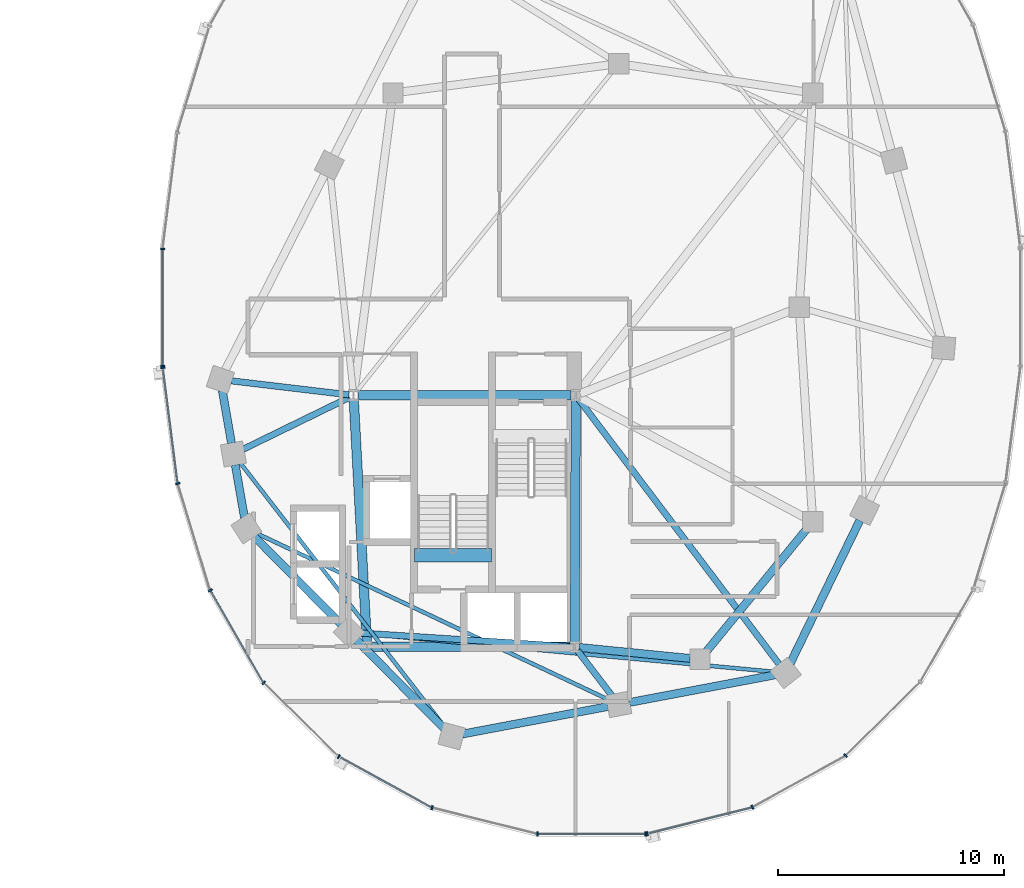
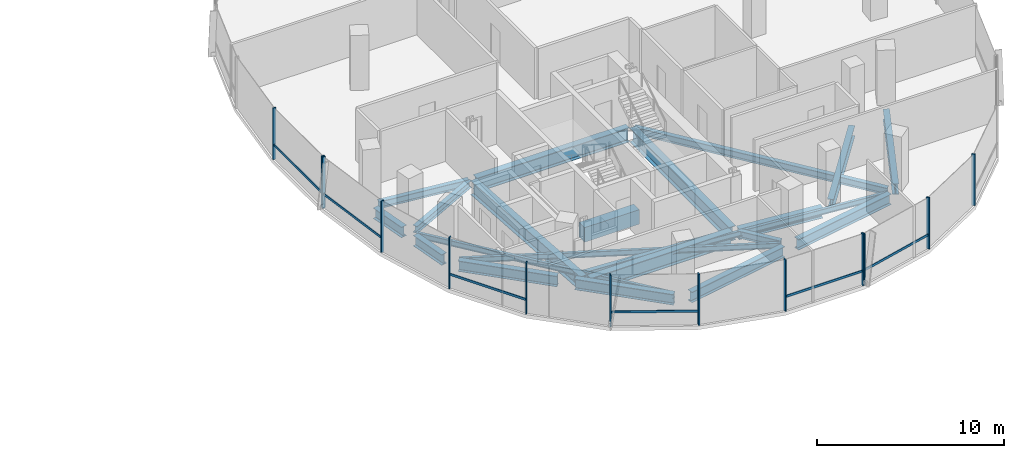
# One storey, part 6 of 22: 22 beams, 19 members, 3 elements without a shape of their own.
"""IFC4 building model written with IfcOpenShell, lengths in metres."""

from ifc_helpers import new_model, si_unit, direction, frame, origin, origin_2d, place, context, subcontext, project, spatial, rectangle, i_section, extrude, material, material_profile, profile_set, type_object, element, aggregate, save


model = new_model("IFC4")

# Units and contexts
model_context = context("Model", 3, precision=1e-05, world=origin(), true_north=direction((0.0, 1.0)))
body_context = subcontext(model_context, "Body", "Model", "MODEL_VIEW")
ifc_project = project(units=[si_unit("LENGTHUNIT", "METRE"), si_unit("AREAUNIT", "SQUARE_METRE"), si_unit("VOLUMEUNIT", "CUBIC_METRE"), si_unit("PLANEANGLEUNIT", "RADIAN"), si_unit("MASSUNIT", "GRAM", prefix="KILO"), si_unit("THERMODYNAMICTEMPERATUREUNIT", "KELVIN"), si_unit("POWERUNIT", "WATT")], contexts=[model_context])

# Site, building, storey
site_placement = place(None, origin())
site = spatial("IfcSite", under=ifc_project, at=site_placement, CompositionType="ELEMENT")
building_placement = place(site_placement, origin())
building = spatial("IfcBuilding", under=site, at=building_placement, Name="Cundina Bronze Exchange", CompositionType="ELEMENT")
storey_placement = place(building_placement, frame((0.0, 0.0, 158.39990234375)))
storey = spatial("IfcBuildingStorey", under=building, at=storey_placement, Name="L41", CompositionType="ELEMENT", Elevation=158.39990234375)

# Beams
ifc_material_1 = material(Name="Concrete C60/75", Category="concrete")
ifc_material_profile_1 = material_profile(ifc_material_1, rectangle(XDim=0.60009765625, YDim=0.949951171875, at=origin_2d()), Name="RC600X950", Category="concrete")
ifc_profile_set_1 = profile_set([ifc_material_profile_1], Name="Concrete C60/75")
beam_type_1 = type_object("IfcBeamType", Name="BM-COUP-RC950", PredefinedType="LINTEL", material=ifc_profile_set_1)
beam_1_placement = place(storey_placement, frame((24.159912109375, -10.97998046875, -0.474853515625), z_axis=(1.0, 0.0, 0.0), x_axis=(0.0, 1.0, 0.0)))
element("IfcBeam", 1, at=beam_1_placement, inside=storey, type_object=beam_type_1, Name="L41 Stair E2 Landing Header Beam", PredefinedType="LINTEL", context=body_context, shape_type="SweptSolid", body=[
    extrude(rectangle(XDim=0.60009765625, YDim=0.949951171875, at=origin_2d()), origin(), (0.0, 0.0, 1.0), 3.400146484375),
])
ifc_material_2 = material(Name="Steel ASTM A992 Grade 50", Category="steel")
ifc_material_profile_2 = material_profile(ifc_material_2, i_section(OverallWidth=0.280029296875, OverallDepth=0.462890625, WebThickness=0.0107421875, FlangeThickness=0.017333984375, FilletRadius=0.011962890625, at=origin_2d()), Name="W18X76", Category="steel")
ifc_profile_set_2 = profile_set([ifc_material_profile_2], Name="Steel ASTM A992 Grade 50")
beam_type_2 = type_object("IfcBeamType", Name="BM-FLR-W18A", PredefinedType="BEAM", material=ifc_profile_set_2)
beam_2_placement = place(storey_placement, frame((21.247314453125, -3.8759765625, -0.471435546875), z_axis=(-0.993036158382, 0.11780996624, 0.0), x_axis=(-0.11780996624, -0.993036158382, 0.0)))
element("IfcBeam", 2, at=beam_2_placement, inside=storey, type_object=beam_type_2, Name="L41 Leg E Chordal Floor Beam 00", PredefinedType="BEAM", context=body_context, shape_type="SweptSolid", body=[
    extrude(i_section(OverallWidth=0.280029296875, OverallDepth=0.462890625, WebThickness=0.0107421875, FlangeThickness=0.017333984375, FilletRadius=0.011962890625, at=origin_2d()), origin(), (0.0, 0.0, 1.0), 5.249267578125),
])
beam_3_placement = place(storey_placement, frame((21.2666015625, -3.989501953125, -0.471435546875), z_axis=(-0.898604300669, -0.438759969481, 0.0), x_axis=(0.438759969481, -0.898604300669, 0.0)))
element("IfcBeam", 3, at=beam_3_placement, inside=storey, type_object=beam_type_2, Name="L41 Leg E Chordal Floor Beam 01", PredefinedType="BEAM", context=body_context, shape_type="SweptSolid", body=[
    extrude(i_section(OverallWidth=0.280029296875, OverallDepth=0.462890625, WebThickness=0.0107421875, FlangeThickness=0.017333984375, FilletRadius=0.011962890625, at=origin_2d()), origin(), (0.0, 0.0, 1.0), 5.23388671875),
])
beam_4_placement = place(storey_placement, frame((31.04638671875, -15.036865234375, -0.471435546875), z_axis=(-0.99789334888, 0.064875760192, 0.0), x_axis=(-0.064875760192, -0.99789334888, 0.0)))
element("IfcBeam", 4, at=beam_4_placement, inside=storey, type_object=beam_type_2, Name="L41 Leg E Chordal Floor Beam 03", PredefinedType="BEAM", context=body_context, shape_type="SweptSolid", body=[
    extrude(i_section(OverallWidth=0.280029296875, OverallDepth=0.462890625, WebThickness=0.0107421875, FlangeThickness=0.017333984375, FilletRadius=0.011962890625, at=origin_2d()), origin(), (0.0, 0.0, 1.0), 9.328857421875),
])
beam_5_placement = place(storey_placement, frame((31.373779296875, -15.2119140625, -0.471435546875), z_axis=(0.607450107571, -0.794357832977, 0.0), x_axis=(0.794357832977, 0.607450107571, 0.0)))
element("IfcBeam", 5, at=beam_5_placement, inside=storey, type_object=beam_type_2, Name="L41 Leg E Chordal Floor Beam 05", PredefinedType="BEAM", context=body_context, shape_type="SweptSolid", body=[
    extrude(i_section(OverallWidth=0.280029296875, OverallDepth=0.462890625, WebThickness=0.0107421875, FlangeThickness=0.017333984375, FilletRadius=0.011962890625, at=origin_2d()), origin(), (0.0, 0.0, 1.0), 2.518310546875),
])
beam_6_placement = place(storey_placement, frame((31.423095703125, -4.062744140625, -0.471435546875), z_axis=(0.603103901721, -0.797662637792, 0.0), x_axis=(0.797662637792, 0.603103901721, 0.0)))
element("IfcBeam", 6, at=beam_6_placement, inside=storey, type_object=beam_type_2, Name="L41 Leg E Chordal Floor Beam 06", PredefinedType="BEAM", context=body_context, shape_type="SweptSolid", body=[
    extrude(i_section(OverallWidth=0.280029296875, OverallDepth=0.462890625, WebThickness=0.0107421875, FlangeThickness=0.017333984375, FilletRadius=0.011962890625, at=origin_2d()), origin(), (0.0, 0.0, 1.0), 14.72802734375),
])
ifc_material_profile_3 = material_profile(ifc_material_2, i_section(OverallWidth=0.172119140625, OverallDepth=0.35791015625, WebThickness=0.0078125, FlangeThickness=0.01318359375, FilletRadius=0.010009765625, at=origin_2d()), Name="W14X38", Category="steel")
ifc_profile_set_3 = profile_set([ifc_material_profile_3], Name="Steel ASTM A992 Grade 50")
beam_type_3 = type_object("IfcBeamType", Name="BM-JST-W14", PredefinedType="JOIST", material=ifc_profile_set_3)
beam_7_placement = place(storey_placement, frame((16.423583984375, -6.885986328125, -0.4189453125), z_axis=(0.61208354334, -0.790793105668, 0.0), x_axis=(0.790793105668, 0.61208354334, 0.0)))
element("IfcBeam", 7, at=beam_7_placement, inside=storey, type_object=beam_type_3, Name="L41 Leg E Lobe Floor Joist 01-04", PredefinedType="JOIST", context=body_context, shape_type="SweptSolid", body=[
    extrude(i_section(OverallWidth=0.172119140625, OverallDepth=0.35791015625, WebThickness=0.0078125, FlangeThickness=0.01318359375, FilletRadius=0.010009765625, at=origin_2d()), origin(), (0.0, 0.0, 1.0), 14.830810546875),
])
beam_8_placement = place(storey_placement, frame((17.14111328125, -10.008544921875, -0.4189453125), z_axis=(0.904074252188, -0.427375416385, 0.0), x_axis=(0.427375416385, 0.904074252188, 0.0)))
element("IfcBeam", 8, at=beam_8_placement, inside=storey, type_object=beam_type_3, Name="L41 Leg E Lobe Floor Joist 02-05", PredefinedType="JOIST", context=body_context, shape_type="SweptSolid", body=[
    extrude(i_section(OverallWidth=0.172119140625, OverallDepth=0.35791015625, WebThickness=0.0078125, FlangeThickness=0.01318359375, FilletRadius=0.010009765625, at=origin_2d()), origin(), (0.0, 0.0, 1.0), 17.274658203125),
])
beam_9_placement = place(storey_placement, frame((21.73583984375, -14.4453125, -0.4189453125), z_axis=(0.995701840093, -0.092616659595, 0.0), x_axis=(0.092616659595, 0.995701840093, 0.0)))
element("IfcBeam", 9, at=beam_9_placement, inside=storey, type_object=beam_type_3, Name="L41 Leg E Lobe Floor Joist 03-06", PredefinedType="JOIST", context=body_context, shape_type="SweptSolid", body=[
    extrude(i_section(OverallWidth=0.172119140625, OverallDepth=0.35791015625, WebThickness=0.0078125, FlangeThickness=0.01318359375, FilletRadius=0.010009765625, at=origin_2d()), origin(), (0.0, 0.0, 1.0), 18.45751953125),
])
ifc_material_profile_4 = material_profile(ifc_material_2, i_section(OverallWidth=0.35498046875, OverallDepth=0.695068359375, WebThickness=0.015380859375, FlangeThickness=0.02490234375, FilletRadius=0.01806640625, at=origin_2d()), Name="W27X146", Category="steel")
ifc_profile_set_4 = profile_set([ifc_material_profile_4], Name="Steel ASTM A992 Grade 50")
beam_type_4 = type_object("IfcBeamType", Name="BM-RING-W27", PredefinedType="USERDEFINED", material=ifc_profile_set_4)
beam_10_placement = place(storey_placement, frame((31.452880859375, -15.070068359375, -0.58740234375), z_axis=(0.995123020608, -0.098641643622, 0.0), x_axis=(0.098641643622, 0.995123020608, 0.0)))
element("IfcBeam", 10, at=beam_10_placement, inside=storey, type_object=beam_type_4, Name="L41 E Inner Structural Ring Girder 01", ObjectType="GIRDER", PredefinedType="USERDEFINED", context=body_context, shape_type="SweptSolid", body=[
    extrude(i_section(OverallWidth=0.35498046875, OverallDepth=0.695068359375, WebThickness=0.015380859375, FlangeThickness=0.02490234375, FilletRadius=0.01806640625, at=origin_2d()), origin(), (0.0, 0.0, 1.0), 4.935302734375),
])
beam_11_placement = place(storey_placement, frame((37.07763671875, -15.26123046875, -0.58740234375), z_axis=(0.633912590175, 0.77340469873, 0.0), x_axis=(-0.77340469873, 0.633912590175, 0.0)))
element("IfcBeam", 11, at=beam_11_placement, inside=storey, type_object=beam_type_4, Name="L41 E Inner Structural Ring Girder 02", ObjectType="GIRDER", PredefinedType="USERDEFINED", context=body_context, shape_type="SweptSolid", body=[
    extrude(i_section(OverallWidth=0.35498046875, OverallDepth=0.695068359375, WebThickness=0.015380859375, FlangeThickness=0.02490234375, FilletRadius=0.01806640625, at=origin_2d()), origin(), (0.0, 0.0, 1.0), 7.01123046875),
])
for number, where, z_axis, x_axis, name in (
    (12, (15.6337890625, -3.680908203125, -0.58740234375), (0.171666718895, -0.985155083032, 0.0), (0.985155083032, 0.171666718895, 0.0), "L41 E Perimeter Ring Girder 00"),
    (13, (16.208740234375, -6.980712890625, -0.58740234375), (0.171666718895, -0.985155083032, 0.0), (0.985155083032, 0.171666718895, 0.0), "L41 E Perimeter Ring Girder 01"),
):
    element("IfcBeam", number, at=place(storey_placement, frame(where, z_axis=z_axis, x_axis=x_axis)), inside=storey, type_object=beam_type_4, Name=name, ObjectType="GIRDER", PredefinedType="USERDEFINED", context=body_context, shape_type="SweptSolid", body=[
        extrude(i_section(OverallWidth=0.35498046875, OverallDepth=0.695068359375, WebThickness=0.015380859375, FlangeThickness=0.02490234375, FilletRadius=0.01806640625, at=origin_2d()), origin(), (0.0, 0.0, 1.0), 2.37353515625),
    ])
beam_12_placement = place(storey_placement, frame((17.043212890625, -10.14697265625, -0.58740234375), z_axis=(0.703230112979, -0.710962311378, 0.0), x_axis=(0.710962311378, 0.703230112979, 0.0)))
element("IfcBeam", 14, at=beam_12_placement, inside=storey, type_object=beam_type_4, Name="L41 E Perimeter Ring Girder 02", ObjectType="GIRDER", PredefinedType="USERDEFINED", context=body_context, shape_type="SweptSolid", body=[
    extrude(i_section(OverallWidth=0.35498046875, OverallDepth=0.695068359375, WebThickness=0.015380859375, FlangeThickness=0.02490234375, FilletRadius=0.01806640625, at=origin_2d()), origin(), (0.0, 0.0, 1.0), 5.493896484375),
])
beam_13_placement = place(storey_placement, frame((21.59326171875, -14.746826171875, -0.58740234375), z_axis=(0.703207895705, -0.710984286337, 0.0), x_axis=(0.710984286337, 0.703207895705, 0.0)))
element("IfcBeam", 15, at=beam_13_placement, inside=storey, type_object=beam_type_4, Name="L41 E Perimeter Ring Girder 03", ObjectType="GIRDER", PredefinedType="USERDEFINED", context=body_context, shape_type="SweptSolid", body=[
    extrude(i_section(OverallWidth=0.35498046875, OverallDepth=0.695068359375, WebThickness=0.015380859375, FlangeThickness=0.02490234375, FilletRadius=0.01806640625, at=origin_2d()), origin(), (0.0, 0.0, 1.0), 5.494140625),
])
beam_14_placement = place(storey_placement, frame((26.279541015625, -18.9091796875, -0.58740234375), z_axis=(0.982571532667, 0.185884865421, 0.0), x_axis=(-0.185884865421, 0.982571532667, 0.0)))
element("IfcBeam", 16, at=beam_14_placement, inside=storey, type_object=beam_type_4, Name="L41 E Perimeter Ring Girder 04", ObjectType="GIRDER", PredefinedType="USERDEFINED", context=body_context, shape_type="SweptSolid", body=[
    extrude(i_section(OverallWidth=0.35498046875, OverallDepth=0.695068359375, WebThickness=0.015380859375, FlangeThickness=0.02490234375, FilletRadius=0.01806640625, at=origin_2d()), origin(), (0.0, 0.0, 1.0), 6.55517578125),
])
beam_15_placement = place(storey_placement, frame((33.679443359375, -17.50927734375, -0.58740234375), z_axis=(0.982572819495, 0.185878063226, 0.0), x_axis=(-0.185878063226, 0.982572819495, 0.0)))
element("IfcBeam", 17, at=beam_15_placement, inside=storey, type_object=beam_type_4, Name="L41 E Perimeter Ring Girder 05", ObjectType="GIRDER", PredefinedType="USERDEFINED", context=body_context, shape_type="SweptSolid", body=[
    extrude(i_section(OverallWidth=0.35498046875, OverallDepth=0.695068359375, WebThickness=0.015380859375, FlangeThickness=0.02490234375, FilletRadius=0.01806640625, at=origin_2d()), origin(), (0.0, 0.0, 1.0), 6.555419921875),
])
beam_16_placement = place(storey_placement, frame((40.8134765625, -15.760986328125, -0.58740234375), z_axis=(0.437196998825, 0.89936576776, 0.0), x_axis=(-0.89936576776, 0.437196998825, 0.0)))
element("IfcBeam", 18, at=beam_16_placement, inside=storey, type_object=beam_type_4, Name="L41 E Perimeter Ring Girder 06", ObjectType="GIRDER", PredefinedType="USERDEFINED", context=body_context, shape_type="SweptSolid", body=[
    extrude(i_section(OverallWidth=0.35498046875, OverallDepth=0.695068359375, WebThickness=0.015380859375, FlangeThickness=0.02490234375, FilletRadius=0.01806640625, at=origin_2d()), origin(), (0.0, 0.0, 1.0), 7.029541015625),
])
ifc_material_profile_5 = material_profile(ifc_material_2, i_section(OverallWidth=0.41796875, OverallDepth=0.927001953125, WebThickness=0.019287109375, FlangeThickness=0.031982421875, FilletRadius=0.02392578125, at=origin_2d()), Name="W36X231", Category="steel")
ifc_profile_set_5 = profile_set([ifc_material_profile_5], Name="Steel ASTM A992 Grade 50")
beam_type_5 = type_object("IfcBeamType", Name="BM-WRN-W36B", PredefinedType="USERDEFINED", material=ifc_profile_set_5)
beam_17_placement = place(storey_placement, frame((31.095947265625, -3.89990234375, -0.703369140625), z_axis=(-1.0, 0.0, 0.0), x_axis=(0.0, -1.0, 0.0)))
element("IfcBeam", 19, at=beam_17_placement, inside=storey, type_object=beam_type_5, Name="L41 E Core Perimeter Tie Girder 1", ObjectType="GIRDER", PredefinedType="USERDEFINED", context=body_context, shape_type="SweptSolid", body=[
    extrude(i_section(OverallWidth=0.41796875, OverallDepth=0.927001953125, WebThickness=0.019287109375, FlangeThickness=0.031982421875, FilletRadius=0.02392578125, at=origin_2d()), origin(), (0.0, 0.0, 1.0), 9.44189453125),
])
beam_18_placement = place(storey_placement, frame((21.4609375, -4.103759765625, -0.703369140625), z_axis=(0.053739193498, -0.998555005537, 0.0), x_axis=(0.998555005537, 0.053739193498, 0.0)))
element("IfcBeam", 20, at=beam_18_placement, inside=storey, type_object=beam_type_5, Name="L41 E Core Perimeter Tie Girder 2", ObjectType="GIRDER", PredefinedType="USERDEFINED", context=body_context, shape_type="SweptSolid", body=[
    extrude(i_section(OverallWidth=0.41796875, OverallDepth=0.927001953125, WebThickness=0.019287109375, FlangeThickness=0.031982421875, FilletRadius=0.02392578125, at=origin_2d()), origin(), (0.0, 0.0, 1.0), 10.758056640625),
])
beam_19_placement = place(storey_placement, frame((22.25390625, -15.050048828125, -0.703369140625), z_axis=(1.0, 0.0, 0.0), x_axis=(0.0, 1.0, 0.0)))
element("IfcBeam", 21, at=beam_19_placement, inside=storey, type_object=beam_type_5, Name="L41 E Core Perimeter Tie Girder 3", ObjectType="GIRDER", PredefinedType="USERDEFINED", context=body_context, shape_type="SweptSolid", body=[
    extrude(i_section(OverallWidth=0.41796875, OverallDepth=0.927001953125, WebThickness=0.019287109375, FlangeThickness=0.031982421875, FilletRadius=0.02392578125, at=origin_2d()), origin(), (0.0, 0.0, 1.0), 8.7919921875),
])
beam_20_placement = place(storey_placement, frame((31.2509765625, -14.845947265625, -0.703369140625), z_axis=(0.004477329608, 0.99998997671, 0.0), x_axis=(-0.99998997671, 0.004477329608, 0.0)))
element("IfcBeam", 22, at=beam_20_placement, inside=storey, type_object=beam_type_5, Name="L41 E Core Perimeter Tie Girder 4", ObjectType="GIRDER", PredefinedType="USERDEFINED", context=body_context, shape_type="SweptSolid", body=[
    extrude(i_section(OverallWidth=0.41796875, OverallDepth=0.927001953125, WebThickness=0.019287109375, FlangeThickness=0.031982421875, FilletRadius=0.02392578125, at=origin_2d()), origin(), (0.0, 0.0, 1.0), 10.741943359375),
])

# Curtain wall, members
ifc_material_3 = material(Name="Anodised Bronze Aluminium 6063-T6", Category="aluminium")
curtain_wall_type = type_object("IfcCurtainWallType", Name="CWS-WST-PIN", PredefinedType="NOTDEFINED", material=ifc_material_3)
curtain_wall_1_placement = place(storey_placement, origin())
curtain_wall_1 = element("IfcCurtainWall", 23, at=curtain_wall_1_placement, inside=storey, type_object=curtain_wall_type, Name="L41 CW-04 Curtain Wall Run CWR-L41-E2", PredefinedType="NOTDEFINED")
ifc_material_profile_6 = material_profile(ifc_material_3, rectangle(XDim=0.070068359375, YDim=0.18994140625, at=origin_2d()), Name="AL70X190", Category="aluminium")
ifc_profile_set_6 = profile_set([ifc_material_profile_6], Name="Anodised Bronze Aluminium 6063-T6")
member_type_1 = type_object("IfcMemberType", Name="CWM-MUL-190", PredefinedType="MULLION", material=ifc_profile_set_6)
member_1_placement = place(storey_placement, frame((12.992919921875, 2.593017578125, 0.0), z_axis=(0.0, 0.0, 1.0), x_axis=(0.0, -1.0, 0.0)))
member_1 = element("IfcMember", 24, at=member_1_placement, type_object=member_type_1, Name="CW-04 Mullion 7", PredefinedType="MULLION", context=body_context, shape_type="SweptSolid", body=[
    extrude(rectangle(XDim=0.070068359375, YDim=0.18994140625, at=origin_2d()), origin(), (0.0, 0.0, 1.0), 3.360107421875),
])
member_2_placement = place(storey_placement, frame((12.992919921875, -2.593017578125, 0.0), z_axis=(0.0, 0.0, 1.0), x_axis=(0.0, -1.0, 0.0)))
member_2 = element("IfcMember", 25, at=member_2_placement, type_object=member_type_1, Name="CW-04 End Mullion", PredefinedType="MULLION", context=body_context, shape_type="SweptSolid", body=[
    extrude(rectangle(XDim=0.070068359375, YDim=0.18994140625, at=origin_2d()), origin(), (0.0, 0.0, 1.0), 3.360107421875),
])

curtain_wall_2_placement = place(storey_placement, origin())
curtain_wall_2 = element("IfcCurtainWall", 26, at=curtain_wall_2_placement, inside=storey, type_object=curtain_wall_type, Name="L41 CW-04 Curtain Wall Run CWR-L41-E3", PredefinedType="NOTDEFINED")
member_3_placement = place(storey_placement, frame((12.998291015625, -2.676025390625, 0.0), z_axis=(0.0, 0.0, 1.0), x_axis=(0.126545236492, -0.991960837494, 0.0)))
member_3 = element("IfcMember", 27, at=member_3_placement, type_object=member_type_1, Name="CW-04 Mullion 1", PredefinedType="MULLION", context=body_context, shape_type="SweptSolid", body=[
    extrude(rectangle(XDim=0.070068359375, YDim=0.18994140625, at=origin_2d()), origin(), (0.0, 0.0, 1.0), 3.360107421875),
])
member_4_placement = place(storey_placement, frame((13.6591796875, -7.80859375, 0.0), z_axis=(0.0, 0.0, 1.0), x_axis=(0.290034140915, -0.957016299288, 0.0)))
member_4 = element("IfcMember", 28, at=member_4_placement, type_object=member_type_1, Name="CW-04 Mullion 2", PredefinedType="MULLION", context=body_context, shape_type="SweptSolid", body=[
    extrude(rectangle(XDim=0.070068359375, YDim=0.18994140625, at=origin_2d()), origin(), (0.0, 0.0, 1.0), 3.360107421875),
])
member_5_placement = place(storey_placement, frame((15.10205078125, -12.541259765625, 0.0), z_axis=(0.0, 0.0, 1.0), x_axis=(0.498487739754, -0.866896748936, 0.0)))
member_5 = element("IfcMember", 29, at=member_5_placement, type_object=member_type_1, Name="CW-04 Mullion 3", PredefinedType="MULLION", context=body_context, shape_type="SweptSolid", body=[
    extrude(rectangle(XDim=0.070068359375, YDim=0.18994140625, at=origin_2d()), origin(), (0.0, 0.0, 1.0), 3.360107421875),
])
member_6_placement = place(storey_placement, frame((17.469482421875, -16.640380859375, 0.0), z_axis=(0.0, 0.0, 1.0), x_axis=(0.712026045991, -0.702153052995, 0.0)))
member_6 = element("IfcMember", 30, at=member_6_placement, type_object=member_type_1, Name="CW-04 Mullion 4", PredefinedType="MULLION", context=body_context, shape_type="SweptSolid", body=[
    extrude(rectangle(XDim=0.070068359375, YDim=0.18994140625, at=origin_2d()), origin(), (0.0, 0.0, 1.0), 3.360107421875),
])
member_7_placement = place(storey_placement, frame((20.79345703125, -19.906005859375, 0.0), z_axis=(0.0, 0.0, 1.0), x_axis=(0.875885937035, -0.482518212408, 0.0)))
member_7 = element("IfcMember", 31, at=member_7_placement, type_object=member_type_1, Name="CW-04 Mullion 5", PredefinedType="MULLION", context=body_context, shape_type="SweptSolid", body=[
    extrude(rectangle(XDim=0.070068359375, YDim=0.18994140625, at=origin_2d()), origin(), (0.0, 0.0, 1.0), 3.360107421875),
])
member_8_placement = place(storey_placement, frame((24.932373046875, -22.17626953125, 0.0), z_axis=(0.0, 0.0, 1.0), x_axis=(0.970084240161, -0.242768546132, 0.0)))
member_8 = element("IfcMember", 32, at=member_8_placement, type_object=member_type_1, Name="CW-04 Mullion 6", PredefinedType="MULLION", context=body_context, shape_type="SweptSolid", body=[
    extrude(rectangle(XDim=0.070068359375, YDim=0.18994140625, at=origin_2d()), origin(), (0.0, 0.0, 1.0), 3.360107421875),
])
member_9_placement = place(storey_placement, frame((29.60595703125, -23.3369140625, 0.0), z_axis=(0.0, 0.0, 1.0), x_axis=(1.0, 0.0, 0.0)))
member_9 = element("IfcMember", 33, at=member_9_placement, type_object=member_type_1, Name="CW-04 Mullion 7", PredefinedType="MULLION", context=body_context, shape_type="SweptSolid", body=[
    extrude(rectangle(XDim=0.070068359375, YDim=0.18994140625, at=origin_2d()), origin(), (0.0, 0.0, 1.0), 3.360107421875),
])
member_10_placement = place(storey_placement, frame((34.39404296875, -23.3369140625, 0.0), z_axis=(0.0, 0.0, 1.0), x_axis=(1.0, 0.0, 0.0)))
member_10 = element("IfcMember", 34, at=member_10_placement, type_object=member_type_1, Name="CW-04 End Mullion", PredefinedType="MULLION", context=body_context, shape_type="SweptSolid", body=[
    extrude(rectangle(XDim=0.070068359375, YDim=0.18994140625, at=origin_2d()), origin(), (0.0, 0.0, 1.0), 3.360107421875),
])

curtain_wall_3_placement = place(storey_placement, origin())
curtain_wall_3 = element("IfcCurtainWall", 35, at=curtain_wall_3_placement, inside=storey, type_object=curtain_wall_type, Name="L41 CW-04 Curtain Wall Run CWR-L41-E4", PredefinedType="NOTDEFINED")
member_11_placement = place(storey_placement, frame((34.462646484375, -23.32861328125, 0.0), z_axis=(0.0, 0.0, 1.0), x_axis=(0.970084240161, 0.242768546132, 0.0)))
member_11 = element("IfcMember", 36, at=member_11_placement, type_object=member_type_1, Name="CW-04 Mullion 1", PredefinedType="MULLION", context=body_context, shape_type="SweptSolid", body=[
    extrude(rectangle(XDim=0.070068359375, YDim=0.18994140625, at=origin_2d()), origin(), (0.0, 0.0, 1.0), 3.360107421875),
])
member_12_placement = place(storey_placement, frame((39.13037109375, -22.151611328125, 0.0), z_axis=(0.0, 0.0, 1.0), x_axis=(0.875885937035, 0.482518212408, 0.0)))
member_12 = element("IfcMember", 37, at=member_12_placement, type_object=member_type_1, Name="CW-04 Mullion 2", PredefinedType="MULLION", context=body_context, shape_type="SweptSolid", body=[
    extrude(rectangle(XDim=0.070068359375, YDim=0.18994140625, at=origin_2d()), origin(), (0.0, 0.0, 1.0), 3.360107421875),
])
member_13_placement = place(storey_placement, frame((43.259033203125, -19.86669921875, 0.0), z_axis=(0.0, 0.0, 1.0), x_axis=(0.712026045991, 0.702153052995, 0.0)))
member_13 = element("IfcMember", 38, at=member_13_placement, type_object=member_type_1, Name="CW-04 Mullion 3", PredefinedType="MULLION", context=body_context, shape_type="SweptSolid", body=[
    extrude(rectangle(XDim=0.070068359375, YDim=0.18994140625, at=origin_2d()), origin(), (0.0, 0.0, 1.0), 3.360107421875),
])

# Member
ifc_material_profile_7 = material_profile(ifc_material_3, rectangle(XDim=0.06494140625, YDim=0.14990234375, at=origin_2d()), Name="AL65X150", Category="aluminium")
ifc_profile_set_7 = profile_set([ifc_material_profile_7], Name="Anodised Bronze Aluminium 6063-T6")
member_type_2 = type_object("IfcMemberType", Name="CWM-TRN-150", PredefinedType="USERDEFINED", material=ifc_profile_set_7)
member_14_placement = place(storey_placement, frame((12.992919921875, 2.554443359375, 0.920166015625), z_axis=(0.0, -1.0, 0.0), x_axis=(1.0, 0.0, 0.0)))
member_14 = element("IfcMember", 39, at=member_14_placement, type_object=member_type_2, Name="CW-04 Spandrel Transom 7", ObjectType="TRANSOM", PredefinedType="USERDEFINED", context=body_context, shape_type="SweptSolid", body=[
    extrude(rectangle(XDim=0.06494140625, YDim=0.14990234375, at=origin_2d()), origin(), (0.0, 0.0, 1.0), 5.10888671875),
])

aggregate(curtain_wall_1, [member_1, member_2, member_14])

member_15_placement = place(storey_placement, frame((13.003173828125, -2.71435546875, 0.920166015625), z_axis=(0.12646340362, -0.991971273548, 0.0), x_axis=(0.991971273548, 0.12646340362, 0.0)))
member_15 = element("IfcMember", 40, at=member_15_placement, type_object=member_type_2, Name="CW-04 Spandrel Transom 1", ObjectType="TRANSOM", PredefinedType="USERDEFINED", context=body_context, shape_type="SweptSolid", body=[
    extrude(rectangle(XDim=0.06494140625, YDim=0.14990234375, at=origin_2d()), origin(), (0.0, 0.0, 1.0), 5.0966796875),
])

member_16_placement = place(storey_placement, frame((15.121337890625, -12.574462890625, 0.920166015625), z_axis=(0.498479967047, -0.866901218394, 0.0), x_axis=(0.866901218394, 0.498479967047, 0.0)))
member_16 = element("IfcMember", 41, at=member_16_placement, type_object=member_type_2, Name="CW-04 Spandrel Transom 3", ObjectType="TRANSOM", PredefinedType="USERDEFINED", context=body_context, shape_type="SweptSolid", body=[
    extrude(rectangle(XDim=0.06494140625, YDim=0.14990234375, at=origin_2d()), origin(), (0.0, 0.0, 1.0), 4.66845703125),
])

member_17_placement = place(storey_placement, frame((20.8271484375, -19.924560546875, 0.920166015625), z_axis=(0.875878981549, -0.482530838062, 0.0), x_axis=(0.482530838062, 0.875878981549, 0.0)))
member_17 = element("IfcMember", 42, at=member_17_placement, type_object=member_type_2, Name="CW-04 Spandrel Transom 5", ObjectType="TRANSOM", PredefinedType="USERDEFINED", context=body_context, shape_type="SweptSolid", body=[
    extrude(rectangle(XDim=0.06494140625, YDim=0.14990234375, at=origin_2d()), origin(), (0.0, 0.0, 1.0), 4.65380859375),
])

member_18_placement = place(storey_placement, frame((29.64453125, -23.3369140625, 0.920166015625), z_axis=(1.0, 0.0, 0.0), x_axis=(0.0, 1.0, 0.0)))
member_18 = element("IfcMember", 43, at=member_18_placement, type_object=member_type_2, Name="CW-04 Spandrel Transom 7", ObjectType="TRANSOM", PredefinedType="USERDEFINED", context=body_context, shape_type="SweptSolid", body=[
    extrude(rectangle(XDim=0.06494140625, YDim=0.14990234375, at=origin_2d()), origin(), (0.0, 0.0, 1.0), 4.7109375),
])

aggregate(curtain_wall_2, [member_3, member_15, member_4, member_5, member_16, member_6, member_7, member_17, member_8, member_9, member_10, member_18])

member_19_placement = place(storey_placement, frame((34.5, -23.319091796875, 0.920166015625), z_axis=(0.970100130035, 0.242705042606, 0.0), x_axis=(-0.242705042606, 0.970100130035, 0.0)))
member_19 = element("IfcMember", 44, at=member_19_placement, type_object=member_type_2, Name="CW-04 Spandrel Transom 1", ObjectType="TRANSOM", PredefinedType="USERDEFINED", context=body_context, shape_type="SweptSolid", body=[
    extrude(rectangle(XDim=0.06494140625, YDim=0.14990234375, at=origin_2d()), origin(), (0.0, 0.0, 1.0), 4.746826171875),
])

aggregate(curtain_wall_3, [member_11, member_19, member_12, member_13])

save(model, "model.ifc")
